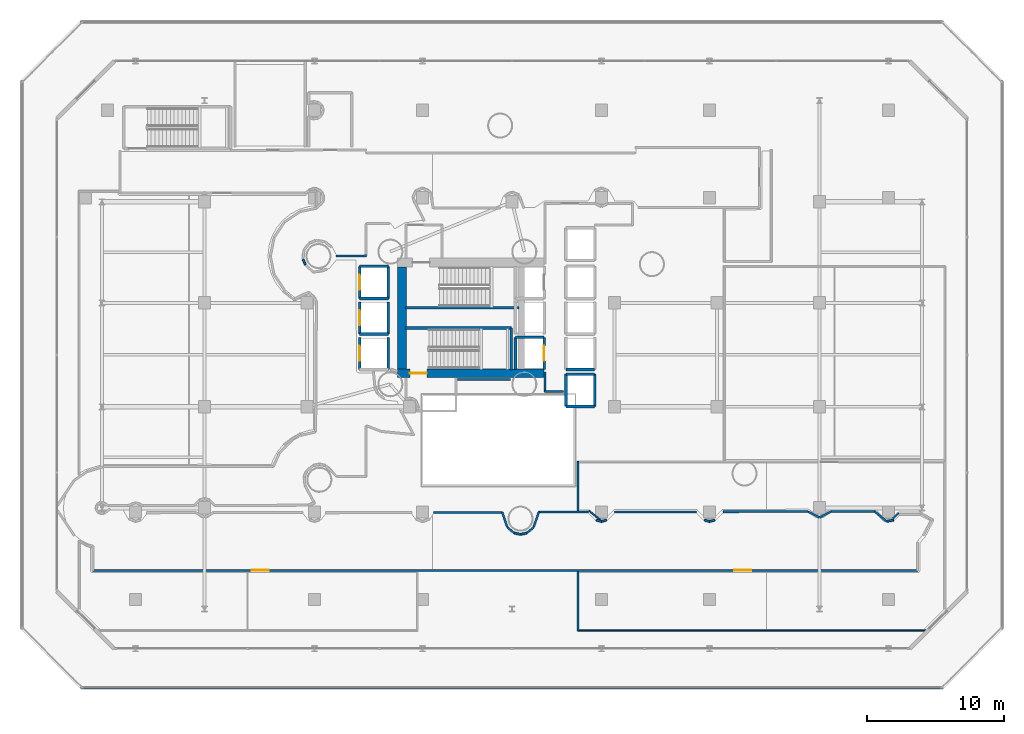
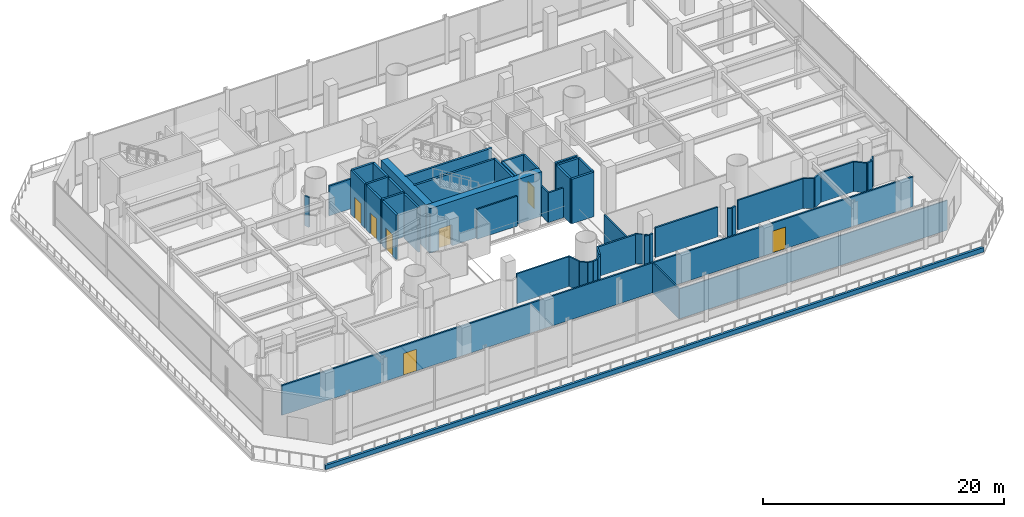
# One storey, part 27 of 39: 53 walls, 7 doors, 7 openings.
"""IFC4 building model written with IfcOpenShell, lengths in metres."""

from ifc_helpers import new_model, si_unit, direction, frame, frame_2d, origin, place, context, subcontext, project, spatial, rectangle, extrude, material, layer, layer_set, type_object, element, fill, save


model = new_model("IFC4")

# Units and contexts
model_context = context("Model", 3, precision=1e-05, world=origin(), true_north=direction((0.0, 1.0)))
body_context = subcontext(model_context, "Body", "Model", "MODEL_VIEW")
ifc_project = project(units=[si_unit("LENGTHUNIT", "METRE"), si_unit("AREAUNIT", "SQUARE_METRE"), si_unit("VOLUMEUNIT", "CUBIC_METRE"), si_unit("PLANEANGLEUNIT", "RADIAN"), si_unit("MASSUNIT", "GRAM", prefix="KILO")], contexts=[model_context])

# Site, building, storey
site_placement = place(None, origin())
site = spatial("IfcSite", under=ifc_project, at=site_placement, CompositionType="ELEMENT")
building_placement = place(site_placement, origin())
building = spatial("IfcBuilding", under=site, at=building_placement, Name="Qianvela Tower", CompositionType="ELEMENT")
storey_placement = place(building_placement, frame((0.0, 0.0, 15.800048828125)))
storey = spatial("IfcBuildingStorey", under=building, at=storey_placement, Name="L03", CompositionType="ELEMENT", Elevation=15.800048828125)

# Wall, opening, door
ifc_material_1 = material(Name="Concrete C60", Category="concrete")
ifc_layer_1 = layer(ifc_material_1, 0.64990234375)
ifc_layer_set_1 = layer_set([ifc_layer_1], Name="Concrete C60")
wall_type_1 = type_object("IfcWallType", Name="WT-CORE-650", PredefinedType="SHEAR", material=ifc_layer_set_1)
wall_1_placement = place(storey_placement, frame((29.1298828125, 24.655029296875, 0.0), z_axis=(0.0, 0.0, 1.0), x_axis=(1.0, 0.0, 0.0)))
wall_1 = element("IfcWall", 1, at=wall_1_placement, inside=storey, type_object=wall_type_1, Name="L03 South Core Shear Wall", PredefinedType="SHEAR", context=body_context, shape_type="SweptSolid", body=[
    extrude(rectangle(XDim=10.72021484375, YDim=0.64990234375, at=frame_2d((5.360107421875, 0.0))), origin(), (0.0, 0.0, 1.0), 4.5),
])
opening_1_placement = place(wall_1_placement, frame((0.89501953125, 0.0, 0.0)))
opening_1 = element("IfcOpeningElement", 2, at=opening_1_placement, cuts=wall_1, Name="Opening D-ST1", PredefinedType="OPENING", context=body_context, shape_type="SweptSolid", body=[
    extrude(rectangle(XDim=1.25, YDim=2.14990234375, at=frame_2d((0.625, 1.074951171875))), frame((0.0, 0.3349609375, 0.0), z_axis=(0.0, -1.0, 0.0), x_axis=(1.0, 0.0, 0.0)), (0.0, 0.0, 1.0), 0.669921875),
])
ifc_material_2 = material(Name="Galvanised Fire Steel Q355B", Category="steel")
door_type_1 = type_object("IfcDoorType", Name="DT-STAIR-FD90", OperationType="NOTDEFINED", PredefinedType="DOOR", material=ifc_material_2)
door_1_placement = place(opening_1_placement, origin())
door_1 = element("IfcDoor", 3, at=door_1_placement, inside=storey, type_object=door_type_1, Name="L03 Stair ST-2 Exit Door", OperationType="SINGLE_SWING_LEFT", OverallHeight=2.14990234375, OverallWidth=1.25, PredefinedType="DOOR", context=body_context, shape_type="SweptSolid", body=[
    extrude(rectangle(XDim=1.25, YDim=2.14990234375, at=frame_2d((0.625, 1.074951171875))), frame((0.0, 0.02490234375, 0.0), z_axis=(0.0, -1.0, 0.0), x_axis=(1.0, 0.0, 0.0)), (0.0, 0.0, 1.0), 0.050048828125),
])
fill(opening_1, door_1)

# Walls
wall_2_placement = place(storey_placement, frame((29.455078125, 24.97998046875, 0.0), z_axis=(0.0, 0.0, 1.0), x_axis=(0.0, 1.0, 0.0)))
element("IfcWall", 4, at=wall_2_placement, inside=storey, type_object=wall_type_1, Name="L03 West Core Shear Wall", PredefinedType="SHEAR", context=body_context, shape_type="SweptSolid", body=[
    extrude(rectangle(XDim=7.43994140625, YDim=0.64990234375, at=frame_2d((3.719970703125, 0.0))), origin(), (0.0, 0.0, 1.0), 4.5),
])
ifc_material_3 = material(Name="Fire-Rated Acoustic Gypsum Board")
ifc_layer_2 = layer(ifc_material_3, 0.14990234375)
ifc_layer_set_2 = layer_set([ifc_layer_2], Name="Fire-Rated Acoustic Gypsum Board")
wall_type_2 = type_object("IfcWallType", Name="WT-CORR-150", PredefinedType="PARTITIONING", material=ifc_layer_set_2)
wall_3_placement = place(storey_placement, frame((41.280029296875, 23.31103515625, 0.0), z_axis=(0.0, 0.0, 1.0), x_axis=(-1.0, 0.0, 0.0)))
element("IfcWall", 5, at=wall_3_placement, inside=storey, type_object=wall_type_2, Name="L03 Partition 22", PredefinedType="PARTITIONING", context=body_context, shape_type="SweptSolid", body=[
    extrude(rectangle(XDim=1.400146484375, YDim=0.14990234375, at=frame_2d((0.7001953125, 0.0))), origin(), (0.0, 0.0, 1.0), 3.02001953125),
])
wall_4_placement = place(storey_placement, frame((39.910888671875, 23.27978515625, 0.0), z_axis=(0.0, 0.0, 1.0), x_axis=(0.009397771291, 0.999955839972, 0.0)))
element("IfcWall", 6, at=wall_4_placement, inside=storey, type_object=wall_type_2, Name="L03 Partition 23", PredefinedType="PARTITIONING", context=body_context, shape_type="SweptSolid", body=[
    extrude(rectangle(XDim=1.480712890625, YDim=0.14990234375, at=frame_2d((0.740234375, 0.0))), origin(), (0.0, 0.0, 1.0), 3.02001953125),
])
wall_5_placement = place(storey_placement, frame((37.388671875, 24.180908203125, 0.0), z_axis=(0.0, 0.0, 1.0), x_axis=(-1.0, 0.0, 0.0)))
element("IfcWall", 7, at=wall_5_placement, inside=storey, type_object=wall_type_2, Name="L03 Partition 35", PredefinedType="PARTITIONING", context=body_context, shape_type="SweptSolid", body=[
    extrude(rectangle(XDim=3.858642578125, YDim=0.14990234375, at=frame_2d((1.92919921875, 0.0))), origin(), (0.0, 0.0, 1.0), 3.02001953125),
])
wall_6_placement = place(storey_placement, frame((31.74267578125, 14.464111328125, 0.0), z_axis=(0.0, 0.0, 1.0), x_axis=(0.999996856908, 0.002507224521, 0.0)))
element("IfcWall", 8, at=wall_6_placement, inside=storey, type_object=wall_type_2, Name="L03 Partition 58", PredefinedType="PARTITIONING", context=body_context, shape_type="SweptSolid", body=[
    extrude(rectangle(XDim=5.0634765625, YDim=0.14990234375, at=frame_2d((2.53173828125, 0.0))), origin(), (0.0, 0.0, 1.0), 3.02001953125),
])
wall_7_placement = place(storey_placement, frame((36.776611328125, 14.497802734375, 0.0), z_axis=(0.0, 0.0, 1.0), x_axis=(0.324981296344, -0.94572044338, 0.0)))
element("IfcWall", 9, at=wall_7_placement, inside=storey, type_object=wall_type_2, Name="L03 Partition 59", PredefinedType="PARTITIONING", context=body_context, shape_type="SweptSolid", body=[
    extrude(rectangle(XDim=1.177978515625, YDim=0.14990234375, at=frame_2d((0.5888671875, 0.0))), origin(), (0.0, 0.0, 1.0), 3.02001953125),
])
wall_8_placement = place(storey_placement, frame((37.169189453125, 13.369873046875, 0.0), z_axis=(0.0, 0.0, 1.0), x_axis=(0.772818338666, -0.634627304346, 0.0)))
element("IfcWall", 10, at=wall_8_placement, inside=storey, type_object=wall_type_2, Name="L03 Partition 60", PredefinedType="PARTITIONING", context=body_context, shape_type="SweptSolid", body=[
    extrude(rectangle(XDim=0.650146484375, YDim=0.14990234375, at=frame_2d((0.3251953125, 0.0))), origin(), (0.0, 0.0, 1.0), 3.02001953125),
])
for number, where, z_axis, x_axis, name in (
    (11, (37.685302734375, 12.950927734375, 0.0), (0.0, 0.0, 1.0), (0.980709346372, -0.195471680655, 0.0), "L03 Partition 61"),
    (12, (38.1259765625, 12.865478515625, 0.0), (0.0, 0.0, 1.0), (0.980709346372, 0.195471680655, 0.0), "L03 Partition 62"),
):
    element("IfcWall", number, at=place(storey_placement, frame(where, z_axis=z_axis, x_axis=x_axis)), inside=storey, type_object=wall_type_2, Name=name, PredefinedType="PARTITIONING", context=body_context, shape_type="SweptSolid", body=[
        extrude(rectangle(XDim=0.437255859375, YDim=0.14990234375, at=frame_2d((0.21875, 0.0))), origin(), (0.0, 0.0, 1.0), 3.02001953125),
    ])
wall_9_placement = place(storey_placement, frame((38.568359375, 12.957275390625, 0.0), z_axis=(0.0, 0.0, 1.0), x_axis=(0.772818338666, 0.634627304346, 0.0)))
element("IfcWall", 13, at=wall_9_placement, inside=storey, type_object=wall_type_2, Name="L03 Partition 63", PredefinedType="PARTITIONING", context=body_context, shape_type="SweptSolid", body=[
    extrude(rectangle(XDim=0.650146484375, YDim=0.14990234375, at=frame_2d((0.3251953125, 0.0))), origin(), (0.0, 0.0, 1.0), 3.02001953125),
])
wall_10_placement = place(storey_placement, frame((39.08056640625, 13.3837890625, 0.0), z_axis=(0.0, 0.0, 1.0), x_axis=(0.324745738033, 0.945801356327, 0.0)))
element("IfcWall", 14, at=wall_10_placement, inside=storey, type_object=wall_type_2, Name="L03 Partition 64", PredefinedType="PARTITIONING", context=body_context, shape_type="SweptSolid", body=[
    extrude(rectangle(XDim=1.184814453125, YDim=0.14990234375, at=frame_2d((0.59228515625, 0.0))), origin(), (0.0, 0.0, 1.0), 3.02001953125),
])
wall_11_placement = place(storey_placement, frame((39.43603515625, 14.4833984375, 0.0), z_axis=(0.0, 0.0, 1.0), x_axis=(0.999996947218, 0.002470942103, 0.0)))
element("IfcWall", 15, at=wall_11_placement, inside=storey, type_object=wall_type_2, Name="L03 Partition 65", PredefinedType="PARTITIONING", context=body_context, shape_type="SweptSolid", body=[
    extrude(rectangle(XDim=3.65576171875, YDim=0.14990234375, at=frame_2d((1.827880859375, 0.0))), origin(), (0.0, 0.0, 1.0), 3.02001953125),
])
wall_12_placement = place(storey_placement, frame((43.663330078125, 13.913330078125, 0.0), z_axis=(0.0, 0.0, 1.0), x_axis=(0.956871232999, -0.290512380904, 0.0)))
element("IfcWall", 16, at=wall_12_placement, inside=storey, type_object=wall_type_2, Name="L03 Partition 67", PredefinedType="PARTITIONING", context=body_context, shape_type="SweptSolid", body=[
    extrude(rectangle(XDim=0.38916015625, YDim=0.14990234375, at=frame_2d((0.194580078125, 0.0))), origin(), (0.0, 0.0, 1.0), 3.02001953125),
])
wall_13_placement = place(storey_placement, frame((44.0537109375, 13.80029296875, 0.0), z_axis=(0.0, 0.0, 1.0), x_axis=(0.956818229542, 0.29068690307, 0.0)))
element("IfcWall", 17, at=wall_13_placement, inside=storey, type_object=wall_type_2, Name="L03 Partition 68", PredefinedType="PARTITIONING", context=body_context, shape_type="SweptSolid", body=[
    extrude(rectangle(XDim=0.388916015625, YDim=0.14990234375, at=frame_2d((0.1943359375, 0.0))), origin(), (0.0, 0.0, 1.0), 3.02001953125),
])
wall_14_placement = place(storey_placement, frame((45.002197265625, 14.497314453125, 0.0), z_axis=(0.0, 0.0, 1.0), x_axis=(0.999996899713, 0.002490093109, 0.0)))
element("IfcWall", 18, at=wall_14_placement, inside=storey, type_object=wall_type_2, Name="L03 Partition 70", PredefinedType="PARTITIONING", context=body_context, shape_type="SweptSolid", body=[
    extrude(rectangle(XDim=5.980712890625, YDim=0.14990234375, at=frame_2d((2.990234375, 0.0))), origin(), (0.0, 0.0, 1.0), 3.02001953125),
])
wall_15_placement = place(storey_placement, frame((51.57421875, 13.913330078125, 0.0), z_axis=(0.0, 0.0, 1.0), x_axis=(0.956818229542, -0.29068690307, 0.0)))
element("IfcWall", 19, at=wall_15_placement, inside=storey, type_object=wall_type_2, Name="L03 Partition 72", PredefinedType="PARTITIONING", context=body_context, shape_type="SweptSolid", body=[
    extrude(rectangle(XDim=0.388916015625, YDim=0.14990234375, at=frame_2d((0.1943359375, 0.0))), origin(), (0.0, 0.0, 1.0), 3.02001953125),
])
wall_16_placement = place(storey_placement, frame((51.96435546875, 13.80029296875, 0.0), z_axis=(0.0, 0.0, 1.0), x_axis=(0.956871232999, 0.290512380904, 0.0)))
element("IfcWall", 20, at=wall_16_placement, inside=storey, type_object=wall_type_2, Name="L03 Partition 73", PredefinedType="PARTITIONING", context=body_context, shape_type="SweptSolid", body=[
    extrude(rectangle(XDim=0.38916015625, YDim=0.14990234375, at=frame_2d((0.194580078125, 0.0))), origin(), (0.0, 0.0, 1.0), 3.02001953125),
])
wall_17_placement = place(storey_placement, frame((52.932861328125, 14.51708984375, 0.0), z_axis=(0.0, 0.0, 1.0), x_axis=(0.999996863017, 0.002504786475, 0.0)))
element("IfcWall", 21, at=wall_17_placement, inside=storey, type_object=wall_type_2, Name="L03 Partition 75", PredefinedType="PARTITIONING", context=body_context, shape_type="SweptSolid", body=[
    extrude(rectangle(XDim=6.238037109375, YDim=0.14990234375, at=frame_2d((3.119140625, 0.0))), origin(), (0.0, 0.0, 1.0), 3.02001953125),
])
wall_18_placement = place(storey_placement, frame((59.156494140625, 14.536376953125, 0.0), z_axis=(0.0, 0.0, 1.0), x_axis=(0.886030613639, -0.463626737467, 0.0)))
element("IfcWall", 22, at=wall_18_placement, inside=storey, type_object=wall_type_2, Name="L03 Partition 76", PredefinedType="PARTITIONING", context=body_context, shape_type="SweptSolid", body=[
    extrude(rectangle(XDim=0.935791015625, YDim=0.14990234375, at=frame_2d((0.4677734375, 0.0))), origin(), (0.0, 0.0, 1.0), 3.02001953125),
])
wall_19_placement = place(storey_placement, frame((60.014404296875, 14.1025390625, 0.0), z_axis=(0.0, 0.0, 1.0), x_axis=(0.885775798401, 0.464113385895, 0.0)))
element("IfcWall", 23, at=wall_19_placement, inside=storey, type_object=wall_type_2, Name="L03 Partition 77", PredefinedType="PARTITIONING", context=body_context, shape_type="SweptSolid", body=[
    extrude(rectangle(XDim=0.943115234375, YDim=0.14990234375, at=frame_2d((0.4716796875, 0.0))), origin(), (0.0, 0.0, 1.0), 3.02001953125),
])
wall_20_placement = place(storey_placement, frame((60.83544921875, 14.536865234375, 0.0), z_axis=(0.0, 0.0, 1.0), x_axis=(0.99999684785, 0.002510834359, 0.0)))
element("IfcWall", 24, at=wall_20_placement, inside=storey, type_object=wall_type_2, Name="L03 Partition 78", PredefinedType="PARTITIONING", context=body_context, shape_type="SweptSolid", body=[
    extrude(rectangle(XDim=3.208740234375, YDim=0.14990234375, at=frame_2d((1.6044921875, 0.0))), origin(), (0.0, 0.0, 1.0), 3.02001953125),
])
wall_21_placement = place(storey_placement, frame((64.02392578125, 14.55224609375, 0.0), z_axis=(0.0, 0.0, 1.0), x_axis=(0.764638438323, -0.644459508921, 0.0)))
element("IfcWall", 25, at=wall_21_placement, inside=storey, type_object=wall_type_2, Name="L03 Partition 79", PredefinedType="PARTITIONING", context=body_context, shape_type="SweptSolid", body=[
    extrude(rectangle(XDim=1.1376953125, YDim=0.14990234375, at=frame_2d((0.56884765625, 0.0))), origin(), (0.0, 0.0, 1.0), 3.02001953125),
])
wall_22_placement = place(storey_placement, frame((64.919921875, 13.8125, 0.0), z_axis=(0.0, 0.0, 1.0), x_axis=(0.980763363144, 0.195200475189, 0.0)))
element("IfcWall", 26, at=wall_22_placement, inside=storey, type_object=wall_type_2, Name="L03 Partition 80", PredefinedType="PARTITIONING", context=body_context, shape_type="SweptSolid", body=[
    extrude(rectangle(XDim=0.5126953125, YDim=0.14990234375, at=frame_2d((0.25634765625, 0.0))), origin(), (0.0, 0.0, 1.0), 3.02001953125),
])

# Wall, openings, doors
wall_23_placement = place(storey_placement, frame((67.199951171875, 10.23095703125, 0.0), z_axis=(0.0, 0.0, 1.0), x_axis=(-1.0, 0.0, 0.0)))
wall_23 = element("IfcWall", 27, at=wall_23_placement, inside=storey, type_object=wall_type_2, Name="L03 Partition 85", PredefinedType="PARTITIONING", context=body_context, shape_type="SweptSolid", body=[
    extrude(rectangle(XDim=60.39990234375, YDim=0.14990234375, at=frame_2d((30.199951171875, 0.0))), origin(), (0.0, 0.0, 1.0), 3.02001953125),
])
opening_2_placement = place(wall_23_placement, frame((47.50341796875, 0.0, 0.0)))
opening_2 = element("IfcOpeningElement", 28, at=opening_2_placement, cuts=wall_23, Name="Opening D-LG1", PredefinedType="OPENING", context=body_context, shape_type="SweptSolid", body=[
    extrude(rectangle(XDim=1.25, YDim=2.199951171875, at=frame_2d((0.625, 1.10009765625))), frame((0.0, 0.0849609375, 0.0), z_axis=(0.0, -1.0, 0.0), x_axis=(1.0, 0.0, 0.0)), (0.0, 0.0, 1.0), 0.169921875),
])
opening_3_placement = place(wall_23_placement, frame((12.19677734375, 0.0, 0.0)))
opening_3 = element("IfcOpeningElement", 29, at=opening_3_placement, cuts=wall_23, Name="Opening D-LG1", PredefinedType="OPENING", context=body_context, shape_type="SweptSolid", body=[
    extrude(rectangle(XDim=1.25, YDim=2.199951171875, at=frame_2d((0.625, 1.10009765625))), frame((0.0, 0.0849609375, 0.0), z_axis=(0.0, -1.0, 0.0), x_axis=(1.0, 0.0, 0.0)), (0.0, 0.0, 1.0), 0.169921875),
])
ifc_material_4 = material(Name="Anodised Aluminium Acoustic Glass Door", Category="aluminium")
door_type_2 = type_object("IfcDoorType", Name="DT-LOUNGE-1250", OperationType="NOTDEFINED", PredefinedType="DOOR", material=ifc_material_4)
door_2_placement = place(opening_2_placement, origin())
door_2 = element("IfcDoor", 30, at=door_2_placement, inside=storey, type_object=door_type_2, Name="L03 Door L03 Academic Reference Library to L03 Concourse Gallery Corridor", OperationType="SINGLE_SWING_LEFT", OverallHeight=2.199951171875, OverallWidth=1.25, PredefinedType="DOOR", context=body_context, shape_type="SweptSolid", body=[
    extrude(rectangle(XDim=1.25, YDim=2.199951171875, at=frame_2d((0.625, 1.10009765625))), frame((0.0, 0.02490234375, 0.0), z_axis=(0.0, -1.0, 0.0), x_axis=(1.0, 0.0, 0.0)), (0.0, 0.0, 1.0), 0.050048828125),
])
fill(opening_2, door_2)
door_3_placement = place(opening_3_placement, origin())
door_3 = element("IfcDoor", 31, at=door_3_placement, inside=storey, type_object=door_type_2, Name="L03 Door L03 Maker Craft Workshop to L03 Concourse Gallery Corridor", OperationType="SINGLE_SWING_RIGHT", OverallHeight=2.199951171875, OverallWidth=1.25, PredefinedType="DOOR", context=body_context, shape_type="SweptSolid", body=[
    extrude(rectangle(XDim=1.25, YDim=2.199951171875, at=frame_2d((0.625, 1.10009765625))), frame((0.0, 0.02490234375, 0.0), z_axis=(0.0, -1.0, 0.0), x_axis=(1.0, 0.0, 0.0)), (0.0, 0.0, 1.0), 0.050048828125),
])
fill(opening_3, door_3)

# Walls
wall_24_placement = place(storey_placement, frame((26.849853515625, 33.24853515625, 0.0), z_axis=(0.0, 0.0, 1.0), x_axis=(-0.999996856591, -0.002507350671, 0.0)))
element("IfcWall", 32, at=wall_24_placement, inside=storey, type_object=wall_type_2, Name="L03 Partition 142", PredefinedType="PARTITIONING", context=body_context, shape_type="SweptSolid", body=[
    extrude(rectangle(XDim=2.239501953125, YDim=0.14990234375, at=frame_2d((1.11962890625, 0.0))), origin(), (0.0, 0.0, 1.0), 3.02001953125),
])
wall_25_placement = place(storey_placement, frame((22.2109375, 32.99755859375, 0.0), z_axis=(0.0, 0.0, 1.0), x_axis=(0.382828912614, -0.923819259199, 0.0)))
element("IfcWall", 33, at=wall_25_placement, inside=storey, type_object=wall_type_2, Name="L03 Partition 149", PredefinedType="PARTITIONING", context=body_context, shape_type="SweptSolid", body=[
    extrude(rectangle(XDim=0.436767578125, YDim=0.14990234375, at=frame_2d((0.21826171875, 0.0))), origin(), (0.0, 0.0, 1.0), 3.02001953125),
])
ifc_material_5 = material(Name="Terracotta Coping on Concrete C40", Category="masonry")
ifc_layer_3 = layer(ifc_material_5, 0.219970703125)
ifc_layer_set_3 = layer_set([ifc_layer_3], Name="Terracotta Coping on Concrete C40")
wall_type_3 = type_object("IfcWallType", Name="WT-PARAPET-220", PredefinedType="PARAPET", material=ifc_layer_set_3)
wall_26_placement = place(storey_placement, frame((6.0, 1.64990234375, 0.0), z_axis=(0.0, 0.0, 1.0), x_axis=(1.0, 0.0, 0.0)))
element("IfcWall", 34, at=wall_26_placement, inside=storey, type_object=wall_type_3, Name="L03 Terrace Upstand Parapet 1", PredefinedType="PARAPET", context=body_context, shape_type="SweptSolid", body=[
    extrude(rectangle(XDim=63.0, YDim=0.219970703125, at=frame_2d((31.5, 0.0))), origin(), (0.0, 0.0, 1.0), 0.449951171875),
])
ifc_material_6 = material(Name="Lightweight Gypsum Room Partition")
ifc_layer_4 = layer(ifc_material_6, 0.10498046875)
ifc_layer_set_4 = layer_set([ifc_layer_4], Name="Lightweight Gypsum Room Partition")
wall_type_4 = type_object("IfcWallType", Name="WT-PART-105", PredefinedType="PARTITIONING", material=ifc_layer_set_4)
wall_27_placement = place(storey_placement, frame((67.950927734375, 5.8310546875, 0.0), z_axis=(0.0, 0.0, 1.0), x_axis=(-1.0, 0.0, 0.0)))
element("IfcWall", 35, at=wall_27_placement, inside=storey, type_object=wall_type_4, Name="L03 Partition 205", PredefinedType="PARTITIONING", context=body_context, shape_type="SweptSolid", body=[
    extrude(rectangle(XDim=25.65087890625, YDim=0.10498046875, at=frame_2d((12.825439453125, 0.0))), origin(), (0.0, 0.0, 1.0), 3.02001953125),
])
wall_28_placement = place(storey_placement, frame((43.948974609375, 13.927490234375, 0.0), z_axis=(0.0, 0.0, 1.0), x_axis=(-0.768618080951, 0.639707937761, 0.0)))
element("IfcWall", 36, at=wall_28_placement, inside=storey, type_object=wall_type_4, Name="L03 Partition 223", PredefinedType="PARTITIONING", context=body_context, shape_type="SweptSolid", body=[
    extrude(rectangle(XDim=1.05859375, YDim=0.10498046875, at=frame_2d((0.529296875, 0.0))), origin(), (0.0, 0.0, 1.0), 3.02001953125),
])
ifc_material_7 = material(Name="Acoustic Double Gypsum Stud Partition")
ifc_layer_5 = layer(ifc_material_7, 0.139892578125)
ifc_layer_set_5 = layer_set([ifc_layer_5], Name="Acoustic Double Gypsum Stud Partition")
wall_type_5 = type_object("IfcWallType", Name="WT-ROOM-140", PredefinedType="PARTITIONING", material=ifc_layer_set_5)
wall_29_placement = place(storey_placement, frame((42.3310546875, 5.800048828125, 0.0), z_axis=(0.0, 0.0, 1.0), x_axis=(0.0, 1.0, 0.0)))
element("IfcWall", 37, at=wall_29_placement, inside=storey, type_object=wall_type_5, Name="L03 Partition 206", PredefinedType="PARTITIONING", context=body_context, shape_type="SweptSolid", body=[
    extrude(rectangle(XDim=4.337890625, YDim=0.139892578125, at=frame_2d((2.1689453125, 0.0))), origin(), (0.0, 0.0, 1.0), 3.02001953125),
])
wall_30_placement = place(storey_placement, frame((65.78662109375, 14.4296875, 0.0), z_axis=(0.0, 0.0, 1.0), x_axis=(-0.719351793699, -0.694645950756, 0.0)))
element("IfcWall", 38, at=wall_30_placement, inside=storey, type_object=wall_type_5, Name="L03 Partition 212", PredefinedType="PARTITIONING", context=body_context, shape_type="SweptSolid", body=[
    extrude(rectangle(XDim=0.593017578125, YDim=0.139892578125, at=frame_2d((0.29638671875, 0.0))), origin(), (0.0, 0.0, 1.0), 3.02001953125),
])
wall_31_placement = place(storey_placement, frame((42.3310546875, 14.58349609375, 0.0), z_axis=(0.0, 0.0, 1.0), x_axis=(0.0, 1.0, 0.0)))
element("IfcWall", 39, at=wall_31_placement, inside=storey, type_object=wall_type_5, Name="L03 Partition 224", PredefinedType="PARTITIONING", context=body_context, shape_type="SweptSolid", body=[
    extrude(rectangle(XDim=3.616455078125, YDim=0.139892578125, at=frame_2d((1.80810546875, 0.0))), origin(), (0.0, 0.0, 1.0), 3.02001953125),
])
ifc_material_8 = material(Name="Concrete C50", Category="concrete")
ifc_layer_6 = layer(ifc_material_8, 0.199951171875)
ifc_layer_set_6 = layer_set([ifc_layer_6], Name="Concrete C50")
wall_type_6 = type_object("IfcWallType", Name="WT-SHAFT-200", PredefinedType="SOLIDWALL", material=ifc_layer_set_6)
wall_32_placement = place(storey_placement, frame((29.699951171875, 29.449951171875, 0.0), z_axis=(0.0, 0.0, 1.0), x_axis=(1.0, 0.0, 0.0)))
element("IfcWall", 40, at=wall_32_placement, inside=storey, type_object=wall_type_6, Name="L03 Stair ST-1 South Wall", PredefinedType="SOLIDWALL", context=body_context, shape_type="SweptSolid", body=[
    extrude(rectangle(XDim=8.300048828125, YDim=0.199951171875, at=frame_2d((4.14990234375, 0.0))), origin(), (0.0, 0.0, 1.0), 4.5),
])
wall_33_placement = place(storey_placement, frame((29.699951171875, 27.9599609375, 0.0), z_axis=(0.0, 0.0, 1.0), x_axis=(1.0, 0.0, 0.0)))
element("IfcWall", 41, at=wall_33_placement, inside=storey, type_object=wall_type_6, Name="L03 Stair ST-2 North Wall", PredefinedType="SOLIDWALL", context=body_context, shape_type="SweptSolid", body=[
    extrude(rectangle(XDim=7.75, YDim=0.199951171875, at=frame_2d((3.875, 0.0))), origin(), (0.0, 0.0, 1.0), 4.5),
])
wall_34_placement = place(storey_placement, frame((37.449951171875, 24.89990234375, 0.0), z_axis=(0.0, 0.0, 1.0), x_axis=(0.0, 1.0, 0.0)))
element("IfcWall", 42, at=wall_34_placement, inside=storey, type_object=wall_type_6, Name="L03 Stair ST-2 East Wall", PredefinedType="SOLIDWALL", context=body_context, shape_type="SweptSolid", body=[
    extrude(rectangle(XDim=3.06005859375, YDim=0.199951171875, at=frame_2d((1.530029296875, 0.0))), origin(), (0.0, 0.0, 1.0), 4.5),
])

# Wall, opening, door
wall_35_placement = place(storey_placement, frame((39.85009765625, 24.919921875, 0.0), z_axis=(0.0, 0.0, 1.0), x_axis=(0.0, 1.0, 0.0)))
wall_35 = element("IfcWall", 43, at=wall_35_placement, inside=storey, type_object=wall_type_6, Name="L03 Lift FL-2 E Shaft Wall", PredefinedType="SOLIDWALL", context=body_context, shape_type="SweptSolid", body=[
    extrude(rectangle(XDim=2.360107421875, YDim=0.199951171875, at=frame_2d((1.18017578125, 0.0))), origin(), (0.0, 0.0, 1.0), 4.5),
])
opening_4_placement = place(wall_35_placement, frame((0.6298828125, 0.0, 0.0)))
opening_4 = element("IfcOpeningElement", 44, at=opening_4_placement, cuts=wall_35, Name="Opening LD-01", PredefinedType="OPENING", context=body_context, shape_type="SweptSolid", body=[
    extrude(rectangle(XDim=1.10009765625, YDim=2.14990234375, at=frame_2d((0.550048828125, 1.074951171875))), frame((0.0, 0.10986328125, 0.0), z_axis=(0.0, -1.0, 0.0), x_axis=(1.0, 0.0, 0.0)), (0.0, 0.0, 1.0), 0.219970703125),
])
ifc_material_9 = material(Name="Brushed Stainless Steel Lift Landing Door", Category="steel")
door_type_3 = type_object("IfcDoorType", Name="DT-LIFT-SLIDE-1100", OperationType="SLIDING_TO_LEFT", PredefinedType="DOOR", material=ifc_material_9)
door_4_placement = place(opening_4_placement, origin())
door_4 = element("IfcDoor", 45, at=door_4_placement, inside=storey, type_object=door_type_3, Name="L03 Lift FL-2 Sliding Landing Door", OperationType="SLIDING_TO_LEFT", OverallHeight=2.14990234375, OverallWidth=1.10009765625, PredefinedType="DOOR", context=body_context, shape_type="SweptSolid", body=[
    extrude(rectangle(XDim=1.10009765625, YDim=2.14990234375, at=frame_2d((0.550048828125, 1.074951171875))), frame((0.0, 0.02490234375, 0.0), z_axis=(0.0, -1.0, 0.0), x_axis=(1.0, 0.0, 0.0)), (0.0, 0.0, 1.0), 0.050048828125),
])
fill(opening_4, door_4)

# Walls
wall_36_placement = place(storey_placement, frame((37.75, 24.919921875, 0.0), z_axis=(0.0, 0.0, 1.0), x_axis=(0.0, 1.0, 0.0)))
element("IfcWall", 46, at=wall_36_placement, inside=storey, type_object=wall_type_6, Name="L03 Lift FL-2 W Shaft Wall", PredefinedType="SOLIDWALL", context=body_context, shape_type="SweptSolid", body=[
    extrude(rectangle(XDim=2.360107421875, YDim=0.199951171875, at=frame_2d((1.18017578125, 0.0))), origin(), (0.0, 0.0, 1.0), 4.5),
])
wall_37_placement = place(storey_placement, frame((37.75, 27.280029296875, 0.0), z_axis=(0.0, 0.0, 1.0), x_axis=(1.0, 0.0, 0.0)))
element("IfcWall", 47, at=wall_37_placement, inside=storey, type_object=wall_type_6, Name="L03 Lift FL-2 N Shaft Wall", PredefinedType="SOLIDWALL", context=body_context, shape_type="SweptSolid", body=[
    extrude(rectangle(XDim=2.10009765625, YDim=0.199951171875, at=frame_2d((1.050048828125, 0.0))), origin(), (0.0, 0.0, 1.0), 4.5),
])
wall_38_placement = place(storey_placement, frame((28.449951171875, 30.1201171875, 0.0), z_axis=(0.0, 0.0, 1.0), x_axis=(0.0, 1.0, 0.0)))
element("IfcWall", 48, at=wall_38_placement, inside=storey, type_object=wall_type_6, Name="L03 Lift PL-L1 E Shaft Wall", PredefinedType="SOLIDWALL", context=body_context, shape_type="SweptSolid", body=[
    extrude(rectangle(XDim=2.35986328125, YDim=0.199951171875, at=frame_2d((1.179931640625, 0.0))), origin(), (0.0, 0.0, 1.0), 4.5),
])

# Wall, opening, door
wall_39_placement = place(storey_placement, frame((26.35009765625, 30.1201171875, 0.0), z_axis=(0.0, 0.0, 1.0), x_axis=(0.0, 1.0, 0.0)))
wall_39 = element("IfcWall", 49, at=wall_39_placement, inside=storey, type_object=wall_type_6, Name="L03 Lift PL-L1 W Shaft Wall", PredefinedType="SOLIDWALL", context=body_context, shape_type="SweptSolid", body=[
    extrude(rectangle(XDim=2.35986328125, YDim=0.199951171875, at=frame_2d((1.179931640625, 0.0))), origin(), (0.0, 0.0, 1.0), 4.5),
])
opening_5_placement = place(wall_39_placement, frame((0.6298828125, 0.0, 0.0)))
opening_5 = element("IfcOpeningElement", 50, at=opening_5_placement, cuts=wall_39, Name="Opening LD-01", PredefinedType="OPENING", context=body_context, shape_type="SweptSolid", body=[
    extrude(rectangle(XDim=1.10009765625, YDim=2.14990234375, at=frame_2d((0.550048828125, 1.074951171875))), frame((0.0, 0.10986328125, 0.0), z_axis=(0.0, -1.0, 0.0), x_axis=(1.0, 0.0, 0.0)), (0.0, 0.0, 1.0), 0.219970703125),
])
door_5_placement = place(opening_5_placement, origin())
door_5 = element("IfcDoor", 51, at=door_5_placement, inside=storey, type_object=door_type_3, Name="L03 Lift PL-L1 Sliding Landing Door", OperationType="SLIDING_TO_LEFT", OverallHeight=2.14990234375, OverallWidth=1.10009765625, PredefinedType="DOOR", context=body_context, shape_type="SweptSolid", body=[
    extrude(rectangle(XDim=1.10009765625, YDim=2.14990234375, at=frame_2d((0.550048828125, 1.074951171875))), frame((0.0, 0.02490234375, 0.0), z_axis=(0.0, -1.0, 0.0), x_axis=(1.0, 0.0, 0.0)), (0.0, 0.0, 1.0), 0.050048828125),
])
fill(opening_5, door_5)

# Walls
for number, where, z_axis, x_axis, name in (
    (52, (26.35009765625, 32.47998046875, 0.0), (0.0, 0.0, 1.0), (1.0, 0.0, 0.0), "L03 Lift PL-L1 N Shaft Wall"),
    (53, (26.35009765625, 30.1201171875, 0.0), (0.0, 0.0, 1.0), (1.0, 0.0, 0.0), "L03 Lift PL-L1 S Shaft Wall"),
):
    element("IfcWall", number, at=place(storey_placement, frame(where, z_axis=z_axis, x_axis=x_axis)), inside=storey, type_object=wall_type_6, Name=name, PredefinedType="SOLIDWALL", context=body_context, shape_type="SweptSolid", body=[
        extrude(rectangle(XDim=2.099853515625, YDim=0.199951171875, at=frame_2d((1.0498046875, 0.0))), origin(), (0.0, 0.0, 1.0), 4.5),
    ])
wall_40_placement = place(storey_placement, frame((28.449951171875, 27.52001953125, 0.0), z_axis=(0.0, 0.0, 1.0), x_axis=(0.0, 1.0, 0.0)))
element("IfcWall", 54, at=wall_40_placement, inside=storey, type_object=wall_type_6, Name="L03 Lift PL-L2 E Shaft Wall", PredefinedType="SOLIDWALL", context=body_context, shape_type="SweptSolid", body=[
    extrude(rectangle(XDim=2.35986328125, YDim=0.199951171875, at=frame_2d((1.179931640625, 0.0))), origin(), (0.0, 0.0, 1.0), 4.5),
])

# Wall, opening, door
wall_41_placement = place(storey_placement, frame((26.35009765625, 27.52001953125, 0.0), z_axis=(0.0, 0.0, 1.0), x_axis=(0.0, 1.0, 0.0)))
wall_41 = element("IfcWall", 55, at=wall_41_placement, inside=storey, type_object=wall_type_6, Name="L03 Lift PL-L2 W Shaft Wall", PredefinedType="SOLIDWALL", context=body_context, shape_type="SweptSolid", body=[
    extrude(rectangle(XDim=2.35986328125, YDim=0.199951171875, at=frame_2d((1.179931640625, 0.0))), origin(), (0.0, 0.0, 1.0), 4.5),
])
opening_6_placement = place(wall_41_placement, frame((0.6298828125, 0.0, 0.0)))
opening_6 = element("IfcOpeningElement", 56, at=opening_6_placement, cuts=wall_41, Name="Opening LD-01", PredefinedType="OPENING", context=body_context, shape_type="SweptSolid", body=[
    extrude(rectangle(XDim=1.10009765625, YDim=2.14990234375, at=frame_2d((0.550048828125, 1.074951171875))), frame((0.0, 0.10986328125, 0.0), z_axis=(0.0, -1.0, 0.0), x_axis=(1.0, 0.0, 0.0)), (0.0, 0.0, 1.0), 0.219970703125),
])
door_6_placement = place(opening_6_placement, origin())
door_6 = element("IfcDoor", 57, at=door_6_placement, inside=storey, type_object=door_type_3, Name="L03 Lift PL-L2 Sliding Landing Door", OperationType="SLIDING_TO_LEFT", OverallHeight=2.14990234375, OverallWidth=1.10009765625, PredefinedType="DOOR", context=body_context, shape_type="SweptSolid", body=[
    extrude(rectangle(XDim=1.10009765625, YDim=2.14990234375, at=frame_2d((0.550048828125, 1.074951171875))), frame((0.0, 0.02490234375, 0.0), z_axis=(0.0, -1.0, 0.0), x_axis=(1.0, 0.0, 0.0)), (0.0, 0.0, 1.0), 0.050048828125),
])
fill(opening_6, door_6)

# Walls
wall_42_placement = place(storey_placement, frame((26.35009765625, 27.52001953125, 0.0), z_axis=(0.0, 0.0, 1.0), x_axis=(1.0, 0.0, 0.0)))
element("IfcWall", 58, at=wall_42_placement, inside=storey, type_object=wall_type_6, Name="L03 Lift PL-L2 S Shaft Wall", PredefinedType="SOLIDWALL", context=body_context, shape_type="SweptSolid", body=[
    extrude(rectangle(XDim=2.099853515625, YDim=0.199951171875, at=frame_2d((1.0498046875, 0.0))), origin(), (0.0, 0.0, 1.0), 4.5),
])
wall_43_placement = place(storey_placement, frame((28.449951171875, 24.919921875, 0.0), z_axis=(0.0, 0.0, 1.0), x_axis=(0.0, 1.0, 0.0)))
element("IfcWall", 59, at=wall_43_placement, inside=storey, type_object=wall_type_6, Name="L03 Lift PL-L3 E Shaft Wall", PredefinedType="SOLIDWALL", context=body_context, shape_type="SweptSolid", body=[
    extrude(rectangle(XDim=2.360107421875, YDim=0.199951171875, at=frame_2d((1.18017578125, 0.0))), origin(), (0.0, 0.0, 1.0), 4.5),
])

# Wall, opening, door
wall_44_placement = place(storey_placement, frame((26.35009765625, 24.919921875, 0.0), z_axis=(0.0, 0.0, 1.0), x_axis=(0.0, 1.0, 0.0)))
wall_44 = element("IfcWall", 60, at=wall_44_placement, inside=storey, type_object=wall_type_6, Name="L03 Lift PL-L3 W Shaft Wall", PredefinedType="SOLIDWALL", context=body_context, shape_type="SweptSolid", body=[
    extrude(rectangle(XDim=2.360107421875, YDim=0.199951171875, at=frame_2d((1.18017578125, 0.0))), origin(), (0.0, 0.0, 1.0), 4.5),
])
opening_7_placement = place(wall_44_placement, frame((0.6298828125, 0.0, 0.0)))
opening_7 = element("IfcOpeningElement", 61, at=opening_7_placement, cuts=wall_44, Name="Opening LD-01", PredefinedType="OPENING", context=body_context, shape_type="SweptSolid", body=[
    extrude(rectangle(XDim=1.10009765625, YDim=2.14990234375, at=frame_2d((0.550048828125, 1.074951171875))), frame((0.0, 0.10986328125, 0.0), z_axis=(0.0, -1.0, 0.0), x_axis=(1.0, 0.0, 0.0)), (0.0, 0.0, 1.0), 0.219970703125),
])
door_7_placement = place(opening_7_placement, origin())
door_7 = element("IfcDoor", 62, at=door_7_placement, inside=storey, type_object=door_type_3, Name="L03 Lift PL-L3 Sliding Landing Door", OperationType="SLIDING_TO_LEFT", OverallHeight=2.14990234375, OverallWidth=1.10009765625, PredefinedType="DOOR", context=body_context, shape_type="SweptSolid", body=[
    extrude(rectangle(XDim=1.10009765625, YDim=2.14990234375, at=frame_2d((0.550048828125, 1.074951171875))), frame((0.0, 0.02490234375, 0.0), z_axis=(0.0, -1.0, 0.0), x_axis=(1.0, 0.0, 0.0)), (0.0, 0.0, 1.0), 0.050048828125),
])
fill(opening_7, door_7)

# Walls
wall_45_placement = place(storey_placement, frame((41.449951171875, 24.919921875, 0.0), z_axis=(0.0, 0.0, 1.0), x_axis=(1.0, 0.0, 0.0)))
element("IfcWall", 63, at=wall_45_placement, inside=storey, type_object=wall_type_6, Name="L03 Lift PL-M3 S Shaft Wall", PredefinedType="SOLIDWALL", context=body_context, shape_type="SweptSolid", body=[
    extrude(rectangle(XDim=2.10009765625, YDim=0.199951171875, at=frame_2d((1.050048828125, 0.0))), origin(), (0.0, 0.0, 1.0), 4.5),
])
for number, where, z_axis, x_axis, name in (
    (64, (43.550048828125, 22.219970703125, 0.0), (0.0, 0.0, 1.0), (0.0, 1.0, 0.0), "L03 Lift PL-H2 E Shaft Wall"),
    (65, (41.449951171875, 22.219970703125, 0.0), (0.0, 0.0, 1.0), (0.0, 1.0, 0.0), "L03 Lift PL-H2 W Shaft Wall"),
):
    element("IfcWall", number, at=place(storey_placement, frame(where, z_axis=z_axis, x_axis=x_axis)), inside=storey, type_object=wall_type_6, Name=name, PredefinedType="SOLIDWALL", context=body_context, shape_type="SweptSolid", body=[
        extrude(rectangle(XDim=2.360107421875, YDim=0.199951171875, at=frame_2d((1.18017578125, 0.0))), origin(), (0.0, 0.0, 1.0), 4.5),
    ])
for number, where, z_axis, x_axis, name in (
    (66, (41.449951171875, 24.580078125, 0.0), (0.0, 0.0, 1.0), (1.0, 0.0, 0.0), "L03 Lift PL-H2 N Shaft Wall"),
    (67, (41.449951171875, 22.219970703125, 0.0), (0.0, 0.0, 1.0), (1.0, 0.0, 0.0), "L03 Lift PL-H2 S Shaft Wall"),
):
    element("IfcWall", number, at=place(storey_placement, frame(where, z_axis=z_axis, x_axis=x_axis)), inside=storey, type_object=wall_type_6, Name=name, PredefinedType="SOLIDWALL", context=body_context, shape_type="SweptSolid", body=[
        extrude(rectangle(XDim=2.10009765625, YDim=0.199951171875, at=frame_2d((1.050048828125, 0.0))), origin(), (0.0, 0.0, 1.0), 4.5),
    ])

save(model, "model.ifc")
